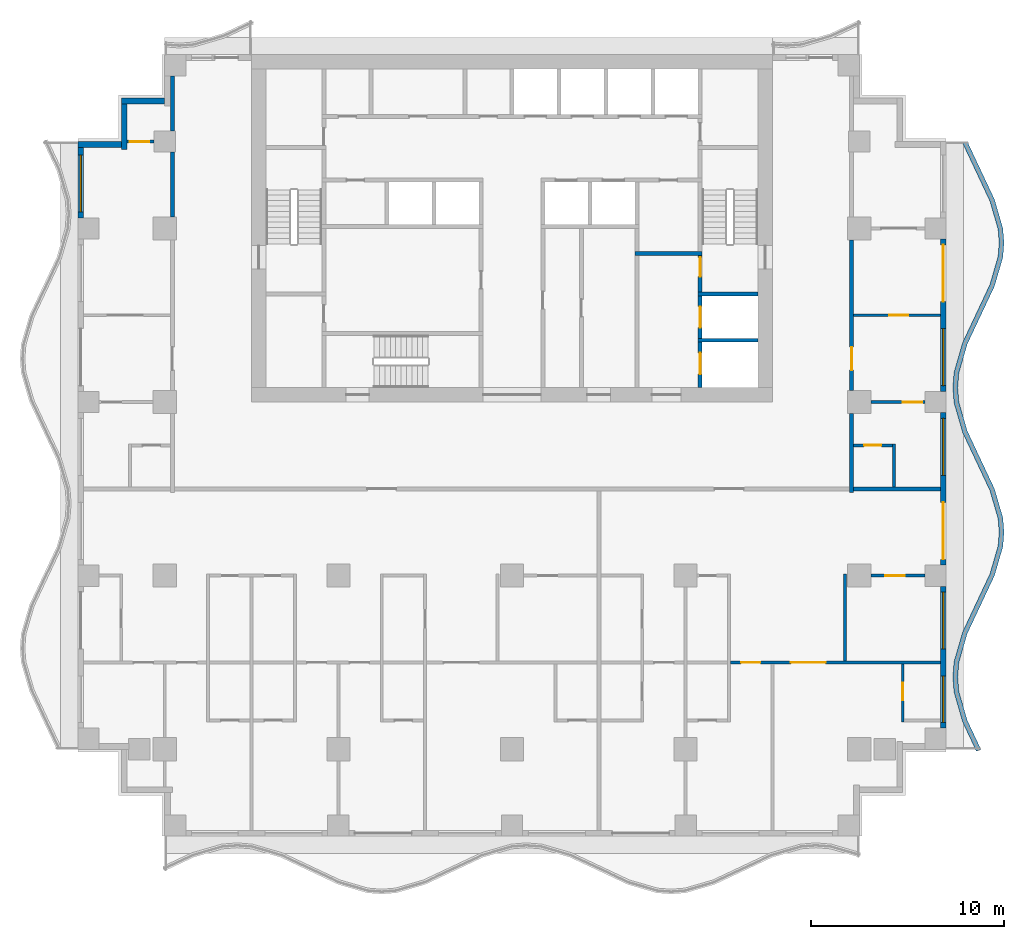
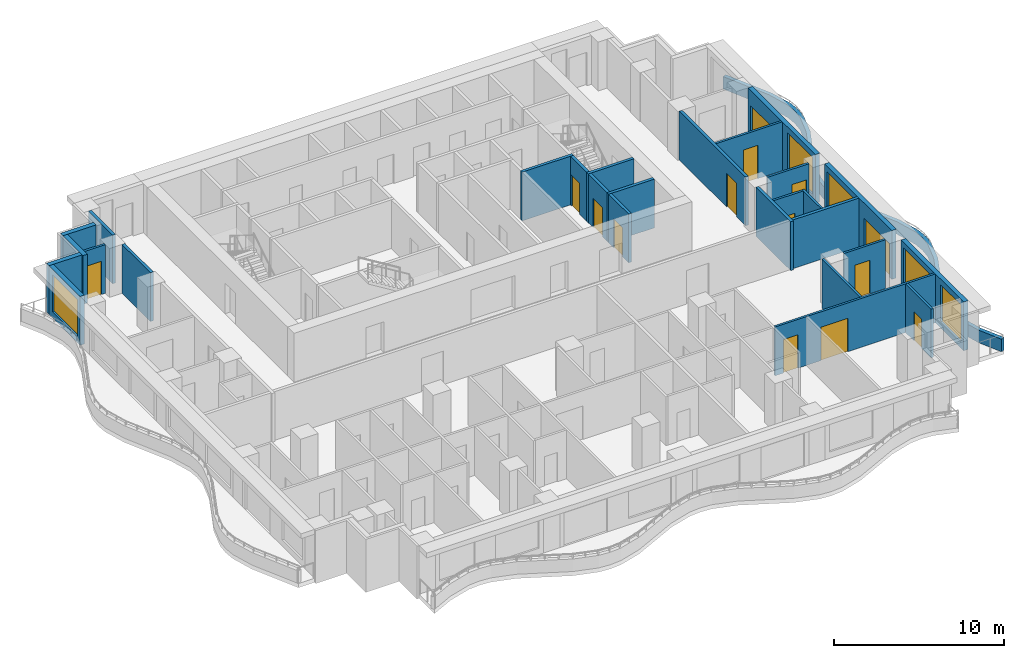
# One storey, part 4 of 10: 28 walls, 14 doors, 5 windows, 19 openings.
"""IFC4 building model written with IfcOpenShell, lengths in metres."""

from ifc_helpers import new_model, si_unit, direction, frame, frame_2d, origin, place, context, subcontext, project, spatial, polyline, rectangle, outline, extrude, material, layer, layer_set, type_object, element, fill, save


model = new_model("IFC4")

# Units and contexts
model_context = context("Model", 3, precision=1e-05, world=origin(), true_north=direction((0.0, 1.0)))
body_context = subcontext(model_context, "Body", "Model", "MODEL_VIEW")
ifc_project = project(units=[si_unit("LENGTHUNIT", "METRE"), si_unit("AREAUNIT", "SQUARE_METRE"), si_unit("VOLUMEUNIT", "CUBIC_METRE"), si_unit("PLANEANGLEUNIT", "RADIAN"), si_unit("MASSUNIT", "GRAM", prefix="KILO")], contexts=[model_context])

# Site, building, storey
site_placement = place(None, origin())
site = spatial("IfcSite", under=ifc_project, at=site_placement, CompositionType="ELEMENT")
building_placement = place(site_placement, origin())
building = spatial("IfcBuilding", under=site, at=building_placement, Name="Orbiselva Terraces", CompositionType="ELEMENT")
storey_placement = place(building_placement, frame((0.0, 0.0, 159.2)))
storey = spatial("IfcBuildingStorey", under=building, at=storey_placement, Name="L40", CompositionType="ELEMENT", Elevation=159.2)

# Wall
ifc_material_1 = material(Name="Concrete C60/75", Category="concrete")
ifc_layer_1 = layer(ifc_material_1, 0.2)
ifc_layer_set_1 = layer_set([ifc_layer_1], Name="Concrete C60/75")
wall_type_1 = type_object("IfcWallType", Name="CORE-WALL-SHEAR-200", PredefinedType="SHEAR", material=ifc_layer_set_1)
wall_1_placement = place(storey_placement, frame((6.375, 12.2, 0.0), z_axis=(0.0, 0.0, 1.0), x_axis=(1.0, 0.0, 0.0)))
element("IfcWall", 1, at=wall_1_placement, inside=storey, type_object=wall_type_1, Name="L40 core wall 31", PredefinedType="SHEAR", context=body_context, shape_type="SweptSolid", body=[
    extrude(rectangle(XDim=3.475, YDim=0.2, at=frame_2d((1.7375, 0.0))), origin(), (0.0, 0.0, 1.0), 3.5),
])

# Wall, opening, door
wall_2_placement = place(storey_placement, frame((9.75, 5.25, 0.0), z_axis=(0.0, 0.0, 1.0), x_axis=(0.0, 1.0, 0.0)))
wall_2 = element("IfcWall", 2, at=wall_2_placement, inside=storey, type_object=wall_type_1, Name="L40 core wall 35", PredefinedType="SHEAR", context=body_context, shape_type="SweptSolid", body=[
    extrude(rectangle(XDim=2.35, YDim=0.2, at=frame_2d((1.175, 0.0))), origin(), (0.0, 0.0, 1.0), 3.5),
])
opening_1_placement = place(wall_2_placement, frame((0.7, 0.0, 0.0)))
opening_1 = element("IfcOpeningElement", 3, at=opening_1_placement, cuts=wall_2, Name="Opening LD-FF1", PredefinedType="OPENING", context=body_context, shape_type="SweptSolid", body=[
    extrude(rectangle(XDim=1.1, YDim=2.1, at=frame_2d((0.55, 1.05))), frame((0.0, 0.11, 0.0), z_axis=(0.0, -1.0, 0.0), x_axis=(1.0, 0.0, 0.0)), (0.0, 0.0, 1.0), 0.22),
])
ifc_material_2 = material(Name="Stainless steel landing door", Category="steel")
door_type_1 = type_object("IfcDoorType", Name="LANDING DOOR 1100", OperationType="SLIDING_TO_LEFT", PredefinedType="DOOR", material=ifc_material_2)
door_1_placement = place(opening_1_placement, origin())
door_1 = element("IfcDoor", 4, at=door_1_placement, inside=storey, type_object=door_type_1, Name="L40 landing door FF1", OperationType="SLIDING_TO_RIGHT", OverallHeight=2.1, OverallWidth=1.1, PredefinedType="DOOR", context=body_context, shape_type="SweptSolid", body=[
    extrude(rectangle(XDim=1.1, YDim=2.1, at=frame_2d((0.55, 1.05))), frame((0.0, 0.025, 0.0), z_axis=(0.0, -1.0, 0.0), x_axis=(1.0, 0.0, 0.0)), (0.0, 0.0, 1.0), 0.05),
])
fill(opening_1, door_1)

# Wall
wall_3_placement = place(storey_placement, frame((9.65, 7.7, 0.0), z_axis=(0.0, 0.0, 1.0), x_axis=(1.0, 0.0, 0.0)))
element("IfcWall", 5, at=wall_3_placement, inside=storey, type_object=wall_type_1, Name="L40 core wall 36", PredefinedType="SHEAR", context=body_context, shape_type="SweptSolid", body=[
    extrude(rectangle(XDim=3.1, YDim=0.2, at=frame_2d((1.55, 0.0))), origin(), (0.0, 0.0, 1.0), 3.5),
])

# Wall, opening, door
wall_4_placement = place(storey_placement, frame((9.75, 7.8, 0.0), z_axis=(0.0, 0.0, 1.0), x_axis=(0.0, 1.0, 0.0)))
wall_4 = element("IfcWall", 6, at=wall_4_placement, inside=storey, type_object=wall_type_1, Name="L40 core wall 37", PredefinedType="SHEAR", context=body_context, shape_type="SweptSolid", body=[
    extrude(rectangle(XDim=2.2, YDim=0.2, at=frame_2d((1.1, 0.0))), origin(), (0.0, 0.0, 1.0), 3.5),
])
opening_2_placement = place(wall_4_placement, frame((0.55, 0.0, 0.0)))
opening_2 = element("IfcOpeningElement", 7, at=opening_2_placement, cuts=wall_4, Name="Opening LD-FF2", PredefinedType="OPENING", context=body_context, shape_type="SweptSolid", body=[
    extrude(rectangle(XDim=1.1, YDim=2.1, at=frame_2d((0.55, 1.05))), frame((0.0, 0.11, 0.0), z_axis=(0.0, -1.0, 0.0), x_axis=(1.0, 0.0, 0.0)), (0.0, 0.0, 1.0), 0.22),
])
door_2_placement = place(opening_2_placement, origin())
door_2 = element("IfcDoor", 8, at=door_2_placement, inside=storey, type_object=door_type_1, Name="L40 landing door FF2", OperationType="SLIDING_TO_RIGHT", OverallHeight=2.1, OverallWidth=1.1, PredefinedType="DOOR", context=body_context, shape_type="SweptSolid", body=[
    extrude(rectangle(XDim=1.1, YDim=2.1, at=frame_2d((0.55, 1.05))), frame((0.0, 0.025, 0.0), z_axis=(0.0, -1.0, 0.0), x_axis=(1.0, 0.0, 0.0)), (0.0, 0.0, 1.0), 0.05),
])
fill(opening_2, door_2)

# Wall
wall_5_placement = place(storey_placement, frame((9.65, 10.1, 0.0), z_axis=(0.0, 0.0, 1.0), x_axis=(1.0, 0.0, 0.0)))
element("IfcWall", 9, at=wall_5_placement, inside=storey, type_object=wall_type_1, Name="L40 core wall 38", PredefinedType="SHEAR", context=body_context, shape_type="SweptSolid", body=[
    extrude(rectangle(XDim=3.1, YDim=0.2, at=frame_2d((1.55, 0.0))), origin(), (0.0, 0.0, 1.0), 3.5),
])

# Wall, opening, door
wall_6_placement = place(storey_placement, frame((9.75, 12.1, 0.0), z_axis=(0.0, 0.0, 1.0), x_axis=(0.0, -1.0, 0.0)))
wall_6 = element("IfcWall", 10, at=wall_6_placement, inside=storey, type_object=wall_type_1, Name="L40 core wall 39", PredefinedType="SHEAR", context=body_context, shape_type="SweptSolid", body=[
    extrude(rectangle(XDim=1.9, YDim=0.2, at=frame_2d((0.95, 0.0))), origin(), (0.0, 0.0, 1.0), 3.5),
])
opening_3_placement = place(wall_6_placement, frame((0.1, 0.0, 0.0)))
opening_3 = element("IfcOpeningElement", 11, at=opening_3_placement, cuts=wall_6, Name="Opening DS1000", PredefinedType="OPENING", context=body_context, shape_type="SweptSolid", body=[
    extrude(rectangle(XDim=1.0, YDim=2.2, at=frame_2d((0.5, 1.1))), frame((0.0, 0.11, 0.0), z_axis=(0.0, -1.0, 0.0), x_axis=(1.0, 0.0, 0.0)), (0.0, 0.0, 1.0), 0.22),
])
ifc_material_3 = material(Name="Steel fire door", Category="steel")
door_type_2 = type_object("IfcDoorType", Name="STAIR DOOR 1000", OperationType="NOTDEFINED", PredefinedType="DOOR", material=ifc_material_3)
door_3_placement = place(opening_3_placement, origin())
door_3 = element("IfcDoor", 12, at=door_3_placement, inside=storey, type_object=door_type_2, Name="L40 FIRE-FIGHTING LOBBY TO EXIT STAIR S2 door", OperationType="SINGLE_SWING_LEFT", OverallHeight=2.2, OverallWidth=1.0, PredefinedType="DOOR", context=body_context, shape_type="SweptSolid", body=[
    extrude(rectangle(XDim=1.0, YDim=2.2, at=frame_2d((0.5, 1.1))), frame((0.0, 0.025, 0.0), z_axis=(0.0, -1.0, 0.0), x_axis=(1.0, 0.0, 0.0)), (0.0, 0.0, 1.0), 0.05),
])
fill(opening_3, door_3)

# Wall
ifc_material_4 = material(Name="Concrete C40/50", Category="concrete")
ifc_layer_2 = layer(ifc_material_4, 0.25)
ifc_layer_set_2 = layer_set([ifc_layer_2], Name="Concrete C40/50")
wall_type_2 = type_object("IfcWallType", Name="ENV-PLANTER-250x900", PredefinedType="USERDEFINED", material=ifc_layer_set_2)
wall_7_placement = place(storey_placement, origin())
element("IfcWall", 13, at=wall_7_placement, inside=storey, type_object=wall_type_2, Name="Balcony planter L40 E", ObjectType="PLANTER", PredefinedType="USERDEFINED", context=body_context, shape_type="SweptSolid", body=[
    extrude(outline(polyline([(24.3, -13.5), (23.594658, -12.0), (23.158732, -10.5), (23.1, -9.75), (23.158732, -9.0), (23.594658, -7.5), (24.3, -6.0), (25.005342, -4.5), (25.441268, -3.0), (25.5, -2.25), (25.441268, -1.5), (25.005342, 0.0), (24.3, 1.5), (23.594658, 3.0), (23.158732, 4.5), (23.1, 5.25), (23.158732, 6.0), (23.594658, 7.5), (24.3, 9.0), (25.005342, 10.5), (25.441268, 12.0), (25.5, 12.75), (25.441268, 13.5), (25.005342, 15.0), (24.3, 16.5), (23.594658, 18.0), (23.368422, 17.893617), (24.073764, 16.393617), (24.770753, 14.911382), (25.194035, 13.454886), (25.249235, 12.75), (25.194035, 12.045114), (24.770753, 10.588618), (24.073764, 9.106383), (23.360069, 7.588618), (22.911499, 6.045114), (22.849235, 5.25), (22.911499, 4.454886), (23.360069, 2.911382), (24.073764, 1.393617), (24.770753, -0.088618), (25.194035, -1.545114), (25.249235, -2.25), (25.194035, -2.954886), (24.770753, -4.411382), (24.073764, -5.893617), (23.360069, -7.411382), (22.911499, -8.954886), (22.849235, -9.75), (22.911499, -10.545114), (23.360069, -12.088618), (24.073764, -13.606383), (24.3, -13.5)])), origin(), (0.0, 0.0, 1.0), 0.9),
])

# Wall, openings, windows
ifc_material_5 = material(Name="Terracotta cladding on masonry backing", Category="masonry")
ifc_layer_3 = layer(ifc_material_5, 0.3)
ifc_layer_set_3 = layer_set([ifc_layer_3], Name="Terracotta cladding on masonry backing")
wall_type_3 = type_object("IfcWallType", Name="ENV-WALL-TERRACOTTA-300", PredefinedType="SOLIDWALL", material=ifc_layer_set_3)
wall_8_placement = place(storey_placement, frame((22.35, -5.05, 0.0), z_axis=(0.0, 0.0, 1.0), x_axis=(0.0, -1.0, 0.0)))
wall_8 = element("IfcWall", 14, at=wall_8_placement, inside=storey, type_object=wall_type_3, Name="Facade wall L40 E", PredefinedType="SOLIDWALL", context=body_context, shape_type="SweptSolid", body=[
    extrude(rectangle(XDim=7.35, YDim=0.3, at=frame_2d((3.675, 0.0))), origin(), (0.0, 0.0, 1.0), 3.5),
])
opening_4_placement = place(wall_8_placement, frame((4.65, 0.0, 0.45)))
opening_4 = element("IfcOpeningElement", 15, at=opening_4_placement, cuts=wall_8, Name="Opening WN11", PredefinedType="OPENING", context=body_context, shape_type="SweptSolid", body=[
    extrude(rectangle(XDim=2.4, YDim=2.65, at=frame_2d((1.2, 1.325))), frame((0.0, 0.16, 0.0), z_axis=(0.0, -1.0, 0.0), x_axis=(1.0, 0.0, 0.0)), (0.0, 0.0, 1.0), 0.32),
])
opening_5_placement = place(wall_8_placement, frame((0.3, 0.0, 0.45)))
opening_5 = element("IfcOpeningElement", 16, at=opening_5_placement, cuts=wall_8, Name="Opening WN12", PredefinedType="OPENING", context=body_context, shape_type="SweptSolid", body=[
    extrude(rectangle(XDim=2.95, YDim=2.65, at=frame_2d((1.475, 1.325))), frame((0.0, 0.16, 0.0), z_axis=(0.0, -1.0, 0.0), x_axis=(1.0, 0.0, 0.0)), (0.0, 0.0, 1.0), 0.32),
])
ifc_material_6 = material(Name="Clear low-e glazing in aluminium frame", Category="aluminium")
window_type_1 = type_object("IfcWindowType", Name="WINDOW 2400 X 2650 S450", PartitioningType="TRIPLE_PANEL_VERTICAL", PredefinedType="WINDOW", material=ifc_material_6)
window_1_placement = place(opening_4_placement, origin())
window_1 = element("IfcWindow", 17, at=window_1_placement, inside=storey, type_object=window_type_1, Name="Window L40 E", OverallHeight=2.65, OverallWidth=2.4, PartitioningType="SINGLE_PANEL", PredefinedType="WINDOW", context=body_context, shape_type="SweptSolid", body=[
    extrude(rectangle(XDim=2.4, YDim=2.65, at=frame_2d((1.2, 1.325))), frame((0.0, 0.03, 0.0), z_axis=(0.0, -1.0, 0.0), x_axis=(1.0, 0.0, 0.0)), (0.0, 0.0, 1.0), 0.06),
])
fill(opening_4, window_1)
window_type_2 = type_object("IfcWindowType", Name="WINDOW 2950 X 2650 S450", PartitioningType="TRIPLE_PANEL_VERTICAL", PredefinedType="WINDOW", material=ifc_material_6)
window_2_placement = place(opening_5_placement, origin())
window_2 = element("IfcWindow", 18, at=window_2_placement, inside=storey, type_object=window_type_2, Name="Window L40 E", OverallHeight=2.65, OverallWidth=2.95, PartitioningType="SINGLE_PANEL", PredefinedType="WINDOW", context=body_context, shape_type="SweptSolid", body=[
    extrude(rectangle(XDim=2.95, YDim=2.65, at=frame_2d((1.475, 1.325))), frame((0.0, 0.03, 0.0), z_axis=(0.0, -1.0, 0.0), x_axis=(1.0, 0.0, 0.0)), (0.0, 0.0, 1.0), 0.06),
])
fill(opening_5, window_2)

# Wall, openings, door, window
wall_9_placement = place(storey_placement, frame((22.35, 3.95, 0.0), z_axis=(0.0, 0.0, 1.0), x_axis=(0.0, -1.0, 0.0)))
wall_9 = element("IfcWall", 19, at=wall_9_placement, inside=storey, type_object=wall_type_3, Name="Facade wall L40 E", PredefinedType="SOLIDWALL", context=body_context, shape_type="SweptSolid", body=[
    extrude(rectangle(XDim=7.9, YDim=0.3, at=frame_2d((3.95, 0.0))), origin(), (0.0, 0.0, 1.0), 3.5),
])
opening_6_placement = place(wall_9_placement, frame((4.65, 0.0, 0.0)))
opening_6 = element("IfcOpeningElement", 20, at=opening_6_placement, cuts=wall_9, Name="Opening Z3-D-E03", PredefinedType="OPENING", context=body_context, shape_type="SweptSolid", body=[
    extrude(rectangle(XDim=2.95, YDim=2.4, at=frame_2d((1.475, 1.2))), frame((0.0, 0.16, 0.0), z_axis=(0.0, -1.0, 0.0), x_axis=(1.0, 0.0, 0.0)), (0.0, 0.0, 1.0), 0.32),
])
opening_7_placement = place(wall_9_placement, frame((0.3, 0.0, 0.45)))
opening_7 = element("IfcOpeningElement", 21, at=opening_7_placement, cuts=wall_9, Name="Opening WN12", PredefinedType="OPENING", context=body_context, shape_type="SweptSolid", body=[
    extrude(rectangle(XDim=2.95, YDim=2.65, at=frame_2d((1.475, 1.325))), frame((0.0, 0.16, 0.0), z_axis=(0.0, -1.0, 0.0), x_axis=(1.0, 0.0, 0.0)), (0.0, 0.0, 1.0), 0.32),
])
door_type_3 = type_object("IfcDoorType", Name="BALCONY DOOR 2950 X 2400", OperationType="DOUBLE_DOOR_SLIDING", PredefinedType="DOOR", material=ifc_material_6)
door_4_placement = place(opening_6_placement, origin())
door_4 = element("IfcDoor", 22, at=door_4_placement, inside=storey, type_object=door_type_3, Name="Z3-D-E03", OperationType="SINGLE_SWING_LEFT", OverallHeight=2.4, OverallWidth=2.95, PredefinedType="DOOR", context=body_context, shape_type="SweptSolid", body=[
    extrude(rectangle(XDim=2.95, YDim=2.4, at=frame_2d((1.475, 1.2))), frame((0.0, 0.025, 0.0), z_axis=(0.0, -1.0, 0.0), x_axis=(1.0, 0.0, 0.0)), (0.0, 0.0, 1.0), 0.05),
])
fill(opening_6, door_4)
window_3_placement = place(opening_7_placement, origin())
window_3 = element("IfcWindow", 23, at=window_3_placement, inside=storey, type_object=window_type_2, Name="Window L40 E", OverallHeight=2.65, OverallWidth=2.95, PartitioningType="SINGLE_PANEL", PredefinedType="WINDOW", context=body_context, shape_type="SweptSolid", body=[
    extrude(rectangle(XDim=2.95, YDim=2.65, at=frame_2d((1.475, 1.325))), frame((0.0, 0.03, 0.0), z_axis=(0.0, -1.0, 0.0), x_axis=(1.0, 0.0, 0.0)), (0.0, 0.0, 1.0), 0.06),
])
fill(opening_7, window_3)

wall_10_placement = place(storey_placement, frame((22.35, 12.95, 0.0), z_axis=(0.0, 0.0, 1.0), x_axis=(0.0, -1.0, 0.0)))
wall_10 = element("IfcWall", 24, at=wall_10_placement, inside=storey, type_object=wall_type_3, Name="Facade wall L40 E", PredefinedType="SOLIDWALL", context=body_context, shape_type="SweptSolid", body=[
    extrude(rectangle(XDim=7.9, YDim=0.3, at=frame_2d((3.95, 0.0))), origin(), (0.0, 0.0, 1.0), 3.5),
])
opening_8_placement = place(wall_10_placement, frame((4.65, 0.0, 0.45)))
opening_8 = element("IfcOpeningElement", 25, at=opening_8_placement, cuts=wall_10, Name="Opening WN12", PredefinedType="OPENING", context=body_context, shape_type="SweptSolid", body=[
    extrude(rectangle(XDim=2.95, YDim=2.65, at=frame_2d((1.475, 1.325))), frame((0.0, 0.16, 0.0), z_axis=(0.0, -1.0, 0.0), x_axis=(1.0, 0.0, 0.0)), (0.0, 0.0, 1.0), 0.32),
])
opening_9_placement = place(wall_10_placement, frame((0.3, 0.0, 0.0)))
opening_9 = element("IfcOpeningElement", 26, at=opening_9_placement, cuts=wall_10, Name="Opening Z3-D-E04", PredefinedType="OPENING", context=body_context, shape_type="SweptSolid", body=[
    extrude(rectangle(XDim=2.95, YDim=2.4, at=frame_2d((1.475, 1.2))), frame((0.0, 0.16, 0.0), z_axis=(0.0, -1.0, 0.0), x_axis=(1.0, 0.0, 0.0)), (0.0, 0.0, 1.0), 0.32),
])
door_5_placement = place(opening_9_placement, origin())
door_5 = element("IfcDoor", 27, at=door_5_placement, inside=storey, type_object=door_type_3, Name="Z3-D-E04", OperationType="SINGLE_SWING_LEFT", OverallHeight=2.4, OverallWidth=2.95, PredefinedType="DOOR", context=body_context, shape_type="SweptSolid", body=[
    extrude(rectangle(XDim=2.95, YDim=2.4, at=frame_2d((1.475, 1.2))), frame((0.0, 0.025, 0.0), z_axis=(0.0, -1.0, 0.0), x_axis=(1.0, 0.0, 0.0)), (0.0, 0.0, 1.0), 0.05),
])
fill(opening_9, door_5)
window_4_placement = place(opening_8_placement, origin())
window_4 = element("IfcWindow", 28, at=window_4_placement, inside=storey, type_object=window_type_2, Name="Window L40 E", OverallHeight=2.65, OverallWidth=2.95, PartitioningType="SINGLE_PANEL", PredefinedType="WINDOW", context=body_context, shape_type="SweptSolid", body=[
    extrude(rectangle(XDim=2.95, YDim=2.65, at=frame_2d((1.475, 1.325))), frame((0.0, 0.03, 0.0), z_axis=(0.0, -1.0, 0.0), x_axis=(1.0, 0.0, 0.0)), (0.0, 0.0, 1.0), 0.06),
])
fill(opening_8, window_4)

# Walls
wall_11_placement = place(storey_placement, frame((-20.25, 20.1, 0.0), z_axis=(0.0, 0.0, 1.0), x_axis=(1.0, 0.0, 0.0)))
element("IfcWall", 29, at=wall_11_placement, inside=storey, type_object=wall_type_3, Name="Facade wall L40 STEP", PredefinedType="SOLIDWALL", context=body_context, shape_type="SweptSolid", body=[
    extrude(rectangle(XDim=2.25, YDim=0.3, at=frame_2d((1.125, 0.0))), origin(), (0.0, 0.0, 1.0), 3.5),
])
wall_12_placement = place(storey_placement, frame((-20.1, 17.6, 0.0), z_axis=(0.0, 0.0, 1.0), x_axis=(0.0, 1.0, 0.0)))
element("IfcWall", 30, at=wall_12_placement, inside=storey, type_object=wall_type_3, Name="Facade wall L40 STEP", PredefinedType="SOLIDWALL", context=body_context, shape_type="SweptSolid", body=[
    extrude(rectangle(XDim=2.35, YDim=0.3, at=frame_2d((1.175, 0.0))), origin(), (0.0, 0.0, 1.0), 3.5),
])
wall_13_placement = place(storey_placement, frame((-22.5, 17.85, 0.0), z_axis=(0.0, 0.0, 1.0), x_axis=(1.0, 0.0, 0.0)))
element("IfcWall", 31, at=wall_13_placement, inside=storey, type_object=wall_type_3, Name="Facade wall L40 STEP", PredefinedType="SOLIDWALL", context=body_context, shape_type="SweptSolid", body=[
    extrude(rectangle(XDim=2.25, YDim=0.3, at=frame_2d((1.125, 0.0))), origin(), (0.0, 0.0, 1.0), 3.5),
])

# Wall, opening, window
wall_14_placement = place(storey_placement, frame((-22.35, 14.05, 0.0), z_axis=(0.0, 0.0, 1.0), x_axis=(0.0, 1.0, 0.0)))
wall_14 = element("IfcWall", 32, at=wall_14_placement, inside=storey, type_object=wall_type_3, Name="Facade wall L40 W", PredefinedType="SOLIDWALL", context=body_context, shape_type="SweptSolid", body=[
    extrude(rectangle(XDim=3.65, YDim=0.3, at=frame_2d((1.825, 0.0))), origin(), (0.0, 0.0, 1.0), 3.5),
])
opening_10_placement = place(wall_14_placement, frame((0.3, 0.0, 0.45)))
opening_10 = element("IfcOpeningElement", 33, at=opening_10_placement, cuts=wall_14, Name="Opening WN12", PredefinedType="OPENING", context=body_context, shape_type="SweptSolid", body=[
    extrude(rectangle(XDim=2.95, YDim=2.65, at=frame_2d((1.475, 1.325))), frame((0.0, 0.16, 0.0), z_axis=(0.0, -1.0, 0.0), x_axis=(1.0, 0.0, 0.0)), (0.0, 0.0, 1.0), 0.32),
])
window_5_placement = place(opening_10_placement, origin())
window_5 = element("IfcWindow", 34, at=window_5_placement, inside=storey, type_object=window_type_2, Name="Window L40 W", OverallHeight=2.65, OverallWidth=2.95, PartitioningType="SINGLE_PANEL", PredefinedType="WINDOW", context=body_context, shape_type="SweptSolid", body=[
    extrude(rectangle(XDim=2.95, YDim=2.65, at=frame_2d((1.475, 1.325))), frame((0.0, 0.03, 0.0), z_axis=(0.0, -1.0, 0.0), x_axis=(1.0, 0.0, 0.0)), (0.0, 0.0, 1.0), 0.06),
])
fill(opening_10, window_5)

# Walls
ifc_material_7 = material(Name="Plasterboard on steel stud partition", Category="steel")
ifc_layer_4 = layer(ifc_material_7, 0.2)
ifc_layer_set_4 = layer_set([ifc_layer_4], Name="Plasterboard on steel stud partition")
wall_type_4 = type_object("IfcWallType", Name="UNIT-ENTRANCE-WALL-200", PredefinedType="PARTITIONING", material=ifc_layer_set_4)
wall_15_placement = place(storey_placement, frame((-17.6, 14.1, 0.0), z_axis=(0.0, 0.0, 1.0), x_axis=(0.0, 1.0, 0.0)))
element("IfcWall", 35, at=wall_15_placement, inside=storey, type_object=wall_type_4, Name="PARTITION L40-042", PredefinedType="PARTITIONING", context=body_context, shape_type="SweptSolid", body=[
    extrude(rectangle(XDim=3.35, YDim=0.2, at=frame_2d((1.675, 0.0))), origin(), (0.0, 0.0, 1.0), 3.5),
])
wall_16_placement = place(storey_placement, frame((-17.6, 18.55, 0.0), z_axis=(0.0, 0.0, 1.0), x_axis=(0.0, 1.0, 0.0)))
element("IfcWall", 36, at=wall_16_placement, inside=storey, type_object=wall_type_4, Name="PARTITION L40-043", PredefinedType="PARTITIONING", context=body_context, shape_type="SweptSolid", body=[
    extrude(rectangle(XDim=2.85, YDim=0.2, at=frame_2d((1.425, 0.0))), origin(), (0.0, 0.0, 1.0), 3.5),
])
wall_17_placement = place(storey_placement, frame((17.6, -0.2, 0.0), z_axis=(0.0, 0.0, 1.0), x_axis=(0.0, 1.0, 0.0)))
element("IfcWall", 37, at=wall_17_placement, inside=storey, type_object=wall_type_4, Name="PARTITION L40-060", PredefinedType="PARTITIONING", context=body_context, shape_type="SweptSolid", body=[
    extrude(rectangle(XDim=4.1, YDim=0.2, at=frame_2d((2.05, 0.0))), origin(), (0.0, 0.0, 1.0), 3.5),
])

# Wall, opening, door
wall_18_placement = place(storey_placement, frame((17.6, 12.9, 0.0), z_axis=(0.0, 0.0, 1.0), x_axis=(0.0, -1.0, 0.0)))
wall_18 = element("IfcWall", 38, at=wall_18_placement, inside=storey, type_object=wall_type_4, Name="PARTITION L40-061", PredefinedType="PARTITIONING", context=body_context, shape_type="SweptSolid", body=[
    extrude(rectangle(XDim=7.8, YDim=0.2, at=frame_2d((3.9, 0.0))), origin(), (0.0, 0.0, 1.0), 3.5),
])
opening_11_placement = place(wall_18_placement, frame((5.55, 0.0, 0.0)))
opening_11 = element("IfcOpeningElement", 39, at=opening_11_placement, cuts=wall_18, Name="Opening Z3-D-08", PredefinedType="OPENING", context=body_context, shape_type="SweptSolid", body=[
    extrude(rectangle(XDim=1.2, YDim=2.4, at=frame_2d((0.6, 1.2))), frame((0.0, 0.11, 0.0), z_axis=(0.0, -1.0, 0.0), x_axis=(1.0, 0.0, 0.0)), (0.0, 0.0, 1.0), 0.22),
])
ifc_material_8 = material(Name="Painted timber door leaf", Category="wood")
door_type_4 = type_object("IfcDoorType", Name="ENTRANCE DOOR 1200", OperationType="NOTDEFINED", PredefinedType="DOOR", material=ifc_material_8)
door_6_placement = place(opening_11_placement, origin())
door_6 = element("IfcDoor", 40, at=door_6_placement, inside=storey, type_object=door_type_4, Name="Z3-D-08", OperationType="SINGLE_SWING_RIGHT", OverallHeight=2.4, OverallWidth=1.2, PredefinedType="DOOR", context=body_context, shape_type="SweptSolid", body=[
    extrude(rectangle(XDim=1.2, YDim=2.4, at=frame_2d((0.6, 1.2))), frame((0.0, 0.025, 0.0), z_axis=(0.0, -1.0, 0.0), x_axis=(1.0, 0.0, 0.0)), (0.0, 0.0, 1.0), 0.05),
])
fill(opening_11, door_6)

# Wall, openings, doors
ifc_layer_5 = layer(ifc_material_7, 0.15)
ifc_layer_set_5 = layer_set([ifc_layer_5], Name="Plasterboard on steel stud partition")
wall_type_5 = type_object("IfcWallType", Name="UNIT-PARTITION-150", PredefinedType="PARTITIONING", material=ifc_layer_set_5)
wall_19_placement = place(storey_placement, frame((22.2, -9.0, 0.0), z_axis=(0.0, 0.0, 1.0), x_axis=(-1.0, 0.0, 0.0)))
wall_19 = element("IfcWall", 41, at=wall_19_placement, inside=storey, type_object=wall_type_5, Name="PARTITION L40-017", PredefinedType="PARTITIONING", context=body_context, shape_type="SweptSolid", body=[
    extrude(rectangle(XDim=10.875, YDim=0.15, at=frame_2d((5.4375, 0.0))), origin(), (0.0, 0.0, 1.0), 3.5),
])
opening_12_placement = place(wall_19_placement, frame((9.325, 0.0, 0.0)))
opening_12 = element("IfcOpeningElement", 42, at=opening_12_placement, cuts=wall_19, Name="Opening Z3-D-32", PredefinedType="OPENING", context=body_context, shape_type="SweptSolid", body=[
    extrude(rectangle(XDim=1.0, YDim=2.4, at=frame_2d((0.5, 1.2))), frame((0.0, 0.085, 0.0), z_axis=(0.0, -1.0, 0.0), x_axis=(1.0, 0.0, 0.0)), (0.0, 0.0, 1.0), 0.17),
])
opening_13_placement = place(wall_19_placement, frame((5.95, 0.0, 0.0)))
opening_13 = element("IfcOpeningElement", 43, at=opening_13_placement, cuts=wall_19, Name="Opening Z3-D-34", PredefinedType="OPENING", context=body_context, shape_type="SweptSolid", body=[
    extrude(rectangle(XDim=1.8, YDim=2.4, at=frame_2d((0.9, 1.2))), frame((0.0, 0.085, 0.0), z_axis=(0.0, -1.0, 0.0), x_axis=(1.0, 0.0, 0.0)), (0.0, 0.0, 1.0), 0.17),
])
door_type_5 = type_object("IfcDoorType", Name="DOUBLE DOOR 1800", OperationType="NOTDEFINED", PredefinedType="DOOR", material=ifc_material_8)
door_7_placement = place(opening_13_placement, origin())
door_7 = element("IfcDoor", 44, at=door_7_placement, inside=storey, type_object=door_type_5, Name="Z3-D-34", OperationType="DOUBLE_DOOR_SINGLE_SWING", OverallHeight=2.4, OverallWidth=1.8, PredefinedType="DOOR", context=body_context, shape_type="SweptSolid", body=[
    extrude(rectangle(XDim=1.8, YDim=2.4, at=frame_2d((0.9, 1.2))), frame((0.0, 0.025, 0.0), z_axis=(0.0, -1.0, 0.0), x_axis=(1.0, 0.0, 0.0)), (0.0, 0.0, 1.0), 0.05),
])
fill(opening_13, door_7)
door_type_6 = type_object("IfcDoorType", Name="ROOM DOOR 1000", OperationType="NOTDEFINED", PredefinedType="DOOR", material=ifc_material_8)
door_8_placement = place(opening_12_placement, origin())
door_8 = element("IfcDoor", 45, at=door_8_placement, inside=storey, type_object=door_type_6, Name="Z3-D-32", OperationType="SINGLE_SWING_RIGHT", OverallHeight=2.4, OverallWidth=1.0, PredefinedType="DOOR", context=body_context, shape_type="SweptSolid", body=[
    extrude(rectangle(XDim=1.0, YDim=2.4, at=frame_2d((0.5, 1.2))), frame((0.0, 0.025, 0.0), z_axis=(0.0, -1.0, 0.0), x_axis=(1.0, 0.0, 0.0)), (0.0, 0.0, 1.0), 0.05),
])
fill(opening_12, door_8)

# Wall, opening, door
wall_20_placement = place(storey_placement, frame((21.4, -4.5, 0.0), z_axis=(0.0, 0.0, 1.0), x_axis=(-1.0, 0.0, 0.0)))
wall_20 = element("IfcWall", 46, at=wall_20_placement, inside=storey, type_object=wall_type_5, Name="PARTITION L40-024", PredefinedType="PARTITIONING", context=body_context, shape_type="SweptSolid", body=[
    extrude(rectangle(XDim=2.8, YDim=0.15, at=frame_2d((1.4, 0.0))), origin(), (0.0, 0.0, 1.0), 3.5),
])
opening_14_placement = place(wall_20_placement, frame((1.05, 0.0, 0.0)))
opening_14 = element("IfcOpeningElement", 47, at=opening_14_placement, cuts=wall_20, Name="Opening Z3-D-29", PredefinedType="OPENING", context=body_context, shape_type="SweptSolid", body=[
    extrude(rectangle(XDim=1.0, YDim=2.4, at=frame_2d((0.5, 1.2))), frame((0.0, 0.085, 0.0), z_axis=(0.0, -1.0, 0.0), x_axis=(1.0, 0.0, 0.0)), (0.0, 0.0, 1.0), 0.17),
])
door_9_placement = place(opening_14_placement, origin())
door_9 = element("IfcDoor", 48, at=door_9_placement, inside=storey, type_object=door_type_6, Name="Z3-D-29", OperationType="SINGLE_SWING_RIGHT", OverallHeight=2.4, OverallWidth=1.0, PredefinedType="DOOR", context=body_context, shape_type="SweptSolid", body=[
    extrude(rectangle(XDim=1.0, YDim=2.4, at=frame_2d((0.5, 1.2))), frame((0.0, 0.025, 0.0), z_axis=(0.0, -1.0, 0.0), x_axis=(1.0, 0.0, 0.0)), (0.0, 0.0, 1.0), 0.05),
])
fill(opening_14, door_9)

wall_21_placement = place(storey_placement, frame((19.73, 2.25, 0.0), z_axis=(0.0, 0.0, 1.0), x_axis=(-1.0, 0.0, 0.0)))
wall_21 = element("IfcWall", 49, at=wall_21_placement, inside=storey, type_object=wall_type_5, Name="PARTITION L40-029", PredefinedType="PARTITIONING", context=body_context, shape_type="SweptSolid", body=[
    extrude(rectangle(XDim=2.03, YDim=0.15, at=frame_2d((1.015, 0.0))), origin(), (0.0, 0.0, 1.0), 3.5),
])
opening_15_placement = place(wall_21_placement, frame((0.58, 0.0, 0.0)))
opening_15 = element("IfcOpeningElement", 50, at=opening_15_placement, cuts=wall_21, Name="Opening Z3-D-07", PredefinedType="OPENING", context=body_context, shape_type="SweptSolid", body=[
    extrude(rectangle(XDim=0.9, YDim=2.1, at=frame_2d((0.45, 1.05))), frame((0.0, 0.085, 0.0), z_axis=(0.0, -1.0, 0.0), x_axis=(1.0, 0.0, 0.0)), (0.0, 0.0, 1.0), 0.17),
])
door_type_7 = type_object("IfcDoorType", Name="BATH DOOR 900", OperationType="NOTDEFINED", PredefinedType="DOOR", material=ifc_material_8)
door_10_placement = place(opening_15_placement, origin())
door_10 = element("IfcDoor", 51, at=door_10_placement, inside=storey, type_object=door_type_7, Name="Z3-D-07", OperationType="SINGLE_SWING_RIGHT", OverallHeight=2.1, OverallWidth=0.9, PredefinedType="DOOR", context=body_context, shape_type="SweptSolid", body=[
    extrude(rectangle(XDim=0.9, YDim=2.1, at=frame_2d((0.45, 1.05))), frame((0.0, 0.025, 0.0), z_axis=(0.0, -1.0, 0.0), x_axis=(1.0, 0.0, 0.0)), (0.0, 0.0, 1.0), 0.05),
])
fill(opening_15, door_10)

wall_22_placement = place(storey_placement, frame((21.4, 4.5, 0.0), z_axis=(0.0, 0.0, 1.0), x_axis=(-1.0, 0.0, 0.0)))
wall_22 = element("IfcWall", 52, at=wall_22_placement, inside=storey, type_object=wall_type_5, Name="PARTITION L40-031", PredefinedType="PARTITIONING", context=body_context, shape_type="SweptSolid", body=[
    extrude(rectangle(XDim=2.8, YDim=0.15, at=frame_2d((1.4, 0.0))), origin(), (0.0, 0.0, 1.0), 3.5),
])
opening_16_placement = place(wall_22_placement, frame((0.15, 0.0, 0.0)))
opening_16 = element("IfcOpeningElement", 53, at=opening_16_placement, cuts=wall_22, Name="Opening Z3-D-06", PredefinedType="OPENING", context=body_context, shape_type="SweptSolid", body=[
    extrude(rectangle(XDim=1.0, YDim=2.4, at=frame_2d((0.5, 1.2))), frame((0.0, 0.085, 0.0), z_axis=(0.0, -1.0, 0.0), x_axis=(1.0, 0.0, 0.0)), (0.0, 0.0, 1.0), 0.17),
])
door_11_placement = place(opening_16_placement, origin())
door_11 = element("IfcDoor", 54, at=door_11_placement, inside=storey, type_object=door_type_6, Name="Z3-D-06", OperationType="SINGLE_SWING_LEFT", OverallHeight=2.4, OverallWidth=1.0, PredefinedType="DOOR", context=body_context, shape_type="SweptSolid", body=[
    extrude(rectangle(XDim=1.0, YDim=2.4, at=frame_2d((0.5, 1.2))), frame((0.0, 0.025, 0.0), z_axis=(0.0, -1.0, 0.0), x_axis=(1.0, 0.0, 0.0)), (0.0, 0.0, 1.0), 0.05),
])
fill(opening_16, door_11)

wall_23_placement = place(storey_placement, frame((17.7, 9.0, 0.0), z_axis=(0.0, 0.0, 1.0), x_axis=(1.0, 0.0, 0.0)))
wall_23 = element("IfcWall", 55, at=wall_23_placement, inside=storey, type_object=wall_type_5, Name="PARTITION L40-033", PredefinedType="PARTITIONING", context=body_context, shape_type="SweptSolid", body=[
    extrude(rectangle(XDim=4.5, YDim=0.15, at=frame_2d((2.25, 0.0))), origin(), (0.0, 0.0, 1.0), 3.5),
])
opening_17_placement = place(wall_23_placement, frame((1.85, 0.0, 0.0)))
opening_17 = element("IfcOpeningElement", 56, at=opening_17_placement, cuts=wall_23, Name="Opening Z3-D-09", PredefinedType="OPENING", context=body_context, shape_type="SweptSolid", body=[
    extrude(rectangle(XDim=1.0, YDim=2.4, at=frame_2d((0.5, 1.2))), frame((0.0, 0.085, 0.0), z_axis=(0.0, -1.0, 0.0), x_axis=(1.0, 0.0, 0.0)), (0.0, 0.0, 1.0), 0.17),
])
door_12_placement = place(opening_17_placement, origin())
door_12 = element("IfcDoor", 57, at=door_12_placement, inside=storey, type_object=door_type_6, Name="Z3-D-09", OperationType="SINGLE_SWING_RIGHT", OverallHeight=2.4, OverallWidth=1.0, PredefinedType="DOOR", context=body_context, shape_type="SweptSolid", body=[
    extrude(rectangle(XDim=1.0, YDim=2.4, at=frame_2d((0.5, 1.2))), frame((0.0, 0.025, 0.0), z_axis=(0.0, -1.0, 0.0), x_axis=(1.0, 0.0, 0.0)), (0.0, 0.0, 1.0), 0.05),
])
fill(opening_17, door_12)

wall_24_placement = place(storey_placement, frame((-19.95, 18.0, 0.0), z_axis=(0.0, 0.0, 1.0), x_axis=(1.0, 0.0, 0.0)))
wall_24 = element("IfcWall", 58, at=wall_24_placement, inside=storey, type_object=wall_type_5, Name="PARTITION L40-035", PredefinedType="PARTITIONING", context=body_context, shape_type="SweptSolid", body=[
    extrude(rectangle(XDim=1.4, YDim=0.15, at=frame_2d((0.7, 0.0))), origin(), (0.0, 0.0, 1.0), 3.5),
])
opening_18_placement = place(wall_24_placement, frame((0.15, 0.0, 0.0)))
opening_18 = element("IfcOpeningElement", 59, at=opening_18_placement, cuts=wall_24, Name="Opening Z3-D-05", PredefinedType="OPENING", context=body_context, shape_type="SweptSolid", body=[
    extrude(rectangle(XDim=1.0, YDim=2.4, at=frame_2d((0.5, 1.2))), frame((0.0, 0.085, 0.0), z_axis=(0.0, -1.0, 0.0), x_axis=(1.0, 0.0, 0.0)), (0.0, 0.0, 1.0), 0.17),
])
door_13_placement = place(opening_18_placement, origin())
door_13 = element("IfcDoor", 60, at=door_13_placement, inside=storey, type_object=door_type_6, Name="Z3-D-05", OperationType="SINGLE_SWING_LEFT", OverallHeight=2.4, OverallWidth=1.0, PredefinedType="DOOR", context=body_context, shape_type="SweptSolid", body=[
    extrude(rectangle(XDim=1.0, YDim=2.4, at=frame_2d((0.5, 1.2))), frame((0.0, 0.025, 0.0), z_axis=(0.0, -1.0, 0.0), x_axis=(1.0, 0.0, 0.0)), (0.0, 0.0, 1.0), 0.05),
])
fill(opening_18, door_13)

# Walls
wall_25_placement = place(storey_placement, frame((17.25, -8.925, 0.0), z_axis=(0.0, 0.0, 1.0), x_axis=(0.0, 1.0, 0.0)))
element("IfcWall", 61, at=wall_25_placement, inside=storey, type_object=wall_type_5, Name="PARTITION L40-059", PredefinedType="PARTITIONING", context=body_context, shape_type="SweptSolid", body=[
    extrude(rectangle(XDim=4.5, YDim=0.15, at=frame_2d((2.25, 0.0))), origin(), (0.0, 0.0, 1.0), 3.5),
])
wall_26_placement = place(storey_placement, frame((19.805, 0.1, 0.0), z_axis=(0.0, 0.0, 1.0), x_axis=(0.0, 1.0, 0.0)))
element("IfcWall", 62, at=wall_26_placement, inside=storey, type_object=wall_type_5, Name="PARTITION L40-064", PredefinedType="PARTITIONING", context=body_context, shape_type="SweptSolid", body=[
    extrude(rectangle(XDim=2.225, YDim=0.15, at=frame_2d((1.1125, 0.0))), origin(), (0.0, 0.0, 1.0), 3.5),
])

# Wall, opening, door
wall_27_placement = place(storey_placement, frame((20.25, -9.075, 0.0), z_axis=(0.0, 0.0, 1.0), x_axis=(0.0, -1.0, 0.0)))
wall_27 = element("IfcWall", 63, at=wall_27_placement, inside=storey, type_object=wall_type_5, Name="PARTITION L40-065", PredefinedType="PARTITIONING", context=body_context, shape_type="SweptSolid", body=[
    extrude(rectangle(XDim=3.0, YDim=0.15, at=frame_2d((1.5, 0.0))), origin(), (0.0, 0.0, 1.0), 3.5),
])
opening_19_placement = place(wall_27_placement, frame((0.975, 0.0, 0.0)))
opening_19 = element("IfcOpeningElement", 64, at=opening_19_placement, cuts=wall_27, Name="Opening Z3-D-35", PredefinedType="OPENING", context=body_context, shape_type="SweptSolid", body=[
    extrude(rectangle(XDim=0.9, YDim=2.1, at=frame_2d((0.45, 1.05))), frame((0.0, 0.085, 0.0), z_axis=(0.0, -1.0, 0.0), x_axis=(1.0, 0.0, 0.0)), (0.0, 0.0, 1.0), 0.17),
])
door_14_placement = place(opening_19_placement, origin())
door_14 = element("IfcDoor", 65, at=door_14_placement, inside=storey, type_object=door_type_7, Name="Z3-D-35", OperationType="SINGLE_SWING_LEFT", OverallHeight=2.1, OverallWidth=0.9, PredefinedType="DOOR", context=body_context, shape_type="SweptSolid", body=[
    extrude(rectangle(XDim=0.9, YDim=2.1, at=frame_2d((0.45, 1.05))), frame((0.0, 0.025, 0.0), z_axis=(0.0, -1.0, 0.0), x_axis=(1.0, 0.0, 0.0)), (0.0, 0.0, 1.0), 0.05),
])
fill(opening_19, door_14)

# Wall
ifc_layer_6 = layer(ifc_material_7, 0.2)
ifc_layer_set_6 = layer_set([ifc_layer_6], Name="Plasterboard on steel stud partition")
wall_type_6 = type_object("IfcWallType", Name="UNIT-PARTY-WALL-200", PredefinedType="PARTITIONING", material=ifc_layer_set_6)
wall_28_placement = place(storey_placement, frame((17.7, 0.0, 0.0), z_axis=(0.0, 0.0, 1.0), x_axis=(1.0, 0.0, 0.0)))
element("IfcWall", 66, at=wall_28_placement, inside=storey, type_object=wall_type_6, Name="PARTITION L40-027", PredefinedType="PARTITIONING", context=body_context, shape_type="SweptSolid", body=[
    extrude(rectangle(XDim=4.5, YDim=0.2, at=frame_2d((2.25, 0.0))), origin(), (0.0, 0.0, 1.0), 3.5),
])

save(model, "model.ifc")
